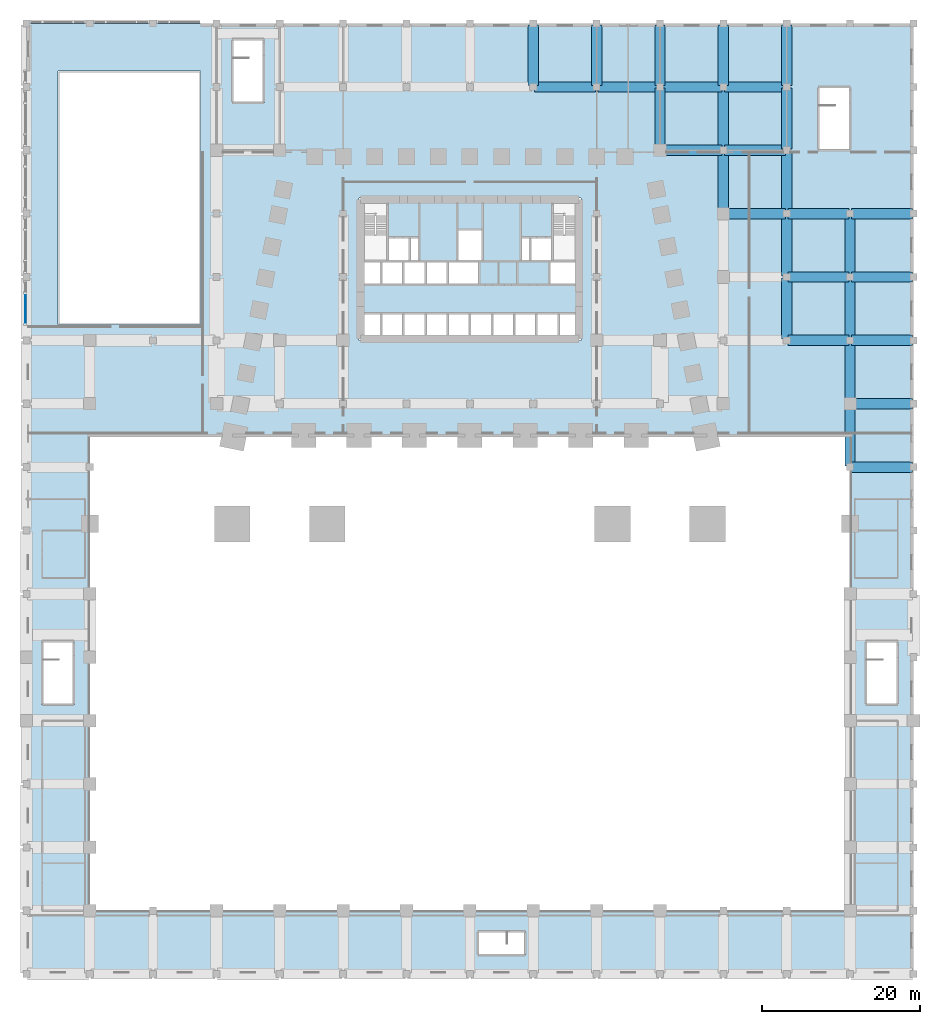
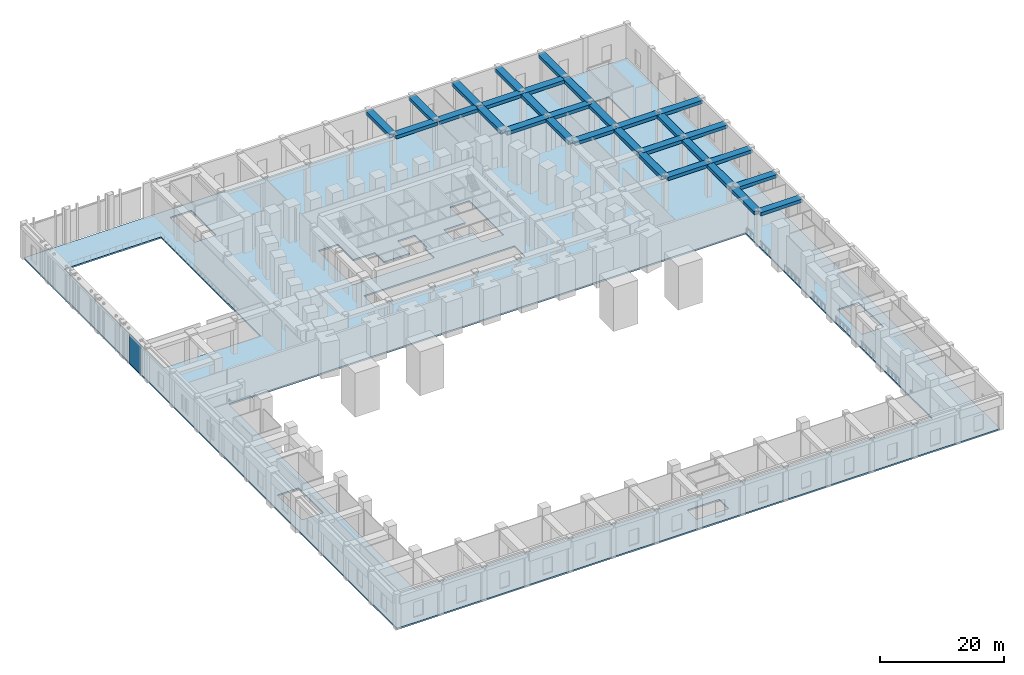
# One storey, part 3 of 18: 31 beams, 1 plate, 1 slab, 1 element without a shape of its own.
"""IFC4 building model written with IfcOpenShell, lengths in metres."""

from ifc_helpers import new_model, si_unit, direction, frame, origin, origin_2d, place, context, subcontext, project, spatial, polyline, rectangle, outline, extrude, material, layer, layer_set, material_profile, profile_set, type_object, element, aggregate, save


model = new_model("IFC4")

# Units and contexts
model_context = context("Model", 3, precision=1e-05, world=origin(), true_north=direction((0.0, 1.0)))
body_context = subcontext(model_context, "Body", "Model", "MODEL_VIEW")
ifc_project = project(units=[si_unit("LENGTHUNIT", "METRE"), si_unit("AREAUNIT", "SQUARE_METRE"), si_unit("VOLUMEUNIT", "CUBIC_METRE"), si_unit("PLANEANGLEUNIT", "RADIAN"), si_unit("MASSUNIT", "GRAM", prefix="KILO")], contexts=[model_context])

# Site, building, storey
site_placement = place(None, origin())
site = spatial("IfcSite", under=ifc_project, at=site_placement, CompositionType="ELEMENT")
building_placement = place(site_placement, origin())
building = spatial("IfcBuilding", under=site, at=building_placement, Name="Isbrekke Arena Tower", CompositionType="ELEMENT")
storey_placement = place(building_placement, frame((0.0, 0.0, 12.0)))
storey = spatial("IfcBuildingStorey", under=building, at=storey_placement, Name="L02", CompositionType="ELEMENT", Elevation=12.0)

# Beams
ifc_material_1 = material(Name="Concrete B45 (C45/55)", Category="concrete")
ifc_material_profile = material_profile(ifc_material_1, rectangle(XDim=1.300048828125, YDim=0.64990234375, at=origin_2d()), Name="RC 1300x650")
ifc_profile_set = profile_set([ifc_material_profile], Name="Concrete B45 (C45/55)")
beam_type = type_object("IfcBeamType", Name="PB1 RC 1300 x 650", PredefinedType="BEAM", material=ifc_profile_set)
for number, where, z_axis, x_axis, name in (
    (1, (48.14990234375, -10.0, 6.375), (1.0, 0.0, 0.0), (0.0, 1.0, 0.0), "PB1 podium beam I14 L03"),
    (2, (48.0, -9.85009765625, 6.375), (0.0, 1.0, 0.0), (-1.0, 0.0, 0.0), "PB1 podium beam I14 L03"),
    (3, (48.14990234375, -2.0, 6.375), (1.0, 0.0, 0.0), (0.0, 1.0, 0.0), "PB1 podium beam J14 L03"),
    (4, (48.0, -1.85009765625, 6.375), (0.0, 1.0, 0.0), (-1.0, 0.0, 0.0), "PB1 podium beam J14 L03"),
    (5, (40.14990234375, 6.0, 6.375), (1.0, 0.0, 0.0), (0.0, 1.0, 0.0), "PB1 podium beam K13 L03"),
    (6, (40.0, 6.14990234375, 6.375), (0.0, 1.0, 0.0), (-1.0, 0.0, 0.0), "PB1 podium beam K13 L03"),
    (7, (48.14990234375, 6.0, 6.375), (1.0, 0.0, 0.0), (0.0, 1.0, 0.0), "PB1 podium beam K14 L03"),
    (8, (48.0, 6.14990234375, 6.375), (0.0, 1.0, 0.0), (-1.0, 0.0, 0.0), "PB1 podium beam K14 L03"),
    (9, (40.14990234375, 14.0, 6.375), (1.0, 0.0, 0.0), (0.0, 1.0, 0.0), "PB1 podium beam L13 L03"),
    (10, (40.0, 14.14990234375, 6.375), (0.0, 1.0, 0.0), (-1.0, 0.0, 0.0), "PB1 podium beam L13 L03"),
    (11, (48.14990234375, 14.0, 6.375), (1.0, 0.0, 0.0), (0.0, 1.0, 0.0), "PB1 podium beam L14 L03"),
    (12, (48.0, 14.14990234375, 6.375), (0.0, 1.0, 0.0), (-1.0, 0.0, 0.0), "PB1 podium beam L14 L03"),
    (13, (32.14990234375, 22.0, 6.375), (1.0, 0.0, 0.0), (0.0, 1.0, 0.0), "PB1 podium beam M12 L03"),
    (14, (32.0, 22.14990234375, 6.375), (0.0, 1.0, 0.0), (-1.0, 0.0, 0.0), "PB1 podium beam M12 L03"),
    (15, (40.14990234375, 22.0, 6.375), (1.0, 0.0, 0.0), (0.0, 1.0, 0.0), "PB1 podium beam M13 L03"),
    (16, (40.0, 22.14990234375, 6.375), (0.0, 1.0, 0.0), (-1.0, 0.0, 0.0), "PB1 podium beam M13 L03"),
    (17, (48.14990234375, 22.0, 6.375), (1.0, 0.0, 0.0), (0.0, 1.0, 0.0), "PB1 podium beam M14 L03"),
    (18, (24.14990234375, 30.0, 6.375), (1.0, 0.0, 0.0), (0.0, 1.0, 0.0), "PB1 podium beam N11 L03"),
    (19, (24.0, 30.14990234375, 6.375), (0.0, 1.0, 0.0), (-1.0, 0.0, 0.0), "PB1 podium beam N11 L03"),
    (20, (32.14990234375, 30.0, 6.375), (1.0, 0.0, 0.0), (0.0, 1.0, 0.0), "PB1 podium beam N12 L03"),
    (21, (32.0, 30.14990234375, 6.375), (0.0, 1.0, 0.0), (-1.0, 0.0, 0.0), "PB1 podium beam N12 L03"),
    (22, (40.0, 30.14990234375, 6.375), (0.0, 1.0, 0.0), (-1.0, 0.0, 0.0), "PB1 podium beam N13 L03"),
    (23, (8.14990234375, 38.0, 6.375), (1.0, 0.0, 0.0), (0.0, 1.0, 0.0), "PB1 podium beam O9 L03"),
    (24, (8.0, 38.14990234375, 6.375), (0.0, 1.0, 0.0), (-1.0, 0.0, 0.0), "PB1 podium beam O9 L03"),
    (25, (16.14990234375, 38.0, 6.375), (1.0, 0.0, 0.0), (0.0, 1.0, 0.0), "PB1 podium beam O10 L03"),
    (26, (16.0, 38.14990234375, 6.375), (0.0, 1.0, 0.0), (-1.0, 0.0, 0.0), "PB1 podium beam O10 L03"),
    (27, (24.14990234375, 38.0, 6.375), (1.0, 0.0, 0.0), (0.0, 1.0, 0.0), "PB1 podium beam O11 L03"),
    (28, (24.0, 38.14990234375, 6.375), (0.0, 1.0, 0.0), (-1.0, 0.0, 0.0), "PB1 podium beam O11 L03"),
    (29, (32.14990234375, 38.0, 6.375), (1.0, 0.0, 0.0), (0.0, 1.0, 0.0), "PB1 podium beam O12 L03"),
    (30, (32.0, 38.14990234375, 6.375), (0.0, 1.0, 0.0), (-1.0, 0.0, 0.0), "PB1 podium beam O12 L03"),
    (31, (40.0, 38.14990234375, 6.375), (0.0, 1.0, 0.0), (-1.0, 0.0, 0.0), "PB1 podium beam O13 L03"),
):
    element("IfcBeam", number, at=place(storey_placement, frame(where, z_axis=z_axis, x_axis=x_axis)), inside=storey, type_object=beam_type, Name=name, PredefinedType="BEAM", context=body_context, shape_type="SweptSolid", body=[
        extrude(rectangle(XDim=1.300048828125, YDim=0.64990234375, at=origin_2d()), origin(), (0.0, 0.0, 1.0), 7.7001953125),
    ])

# Curtain wall, plate
ifc_material_2 = material(Name="Glazed aluminium curtain wall", Category="aluminium")
curtain_wall_type = type_object("IfcCurtainWallType", Name="CWP ATRIUM CURTAIN WALL", PredefinedType="USERDEFINED", material=ifc_material_2)
curtain_wall_placement = place(storey_placement, origin())
curtain_wall = element("IfcCurtainWall", 32, at=curtain_wall_placement, inside=storey, type_object=curtain_wall_type, Name="CWP curtain wall L02-PW5", ObjectType="ATRIUM CURTAIN WALL", PredefinedType="USERDEFINED")
ifc_material_3 = material(Name="Triple-glazed clear glass unit", Category="glass")
ifc_layer_1 = layer(ifc_material_3, 0.031982421875)
ifc_layer_set_1 = layer_set([ifc_layer_1], Name="CWP-P VISION PANEL")
plate_type = type_object("IfcPlateType", Name="CWP-P VISION PANEL", PredefinedType="CURTAIN_PANEL", material=ifc_layer_set_1)
plate_placement = place(storey_placement, frame((-56.10009765625, 10.0, 0.02001953125), z_axis=(0.0, 0.0, 1.0), x_axis=(0.0, -1.0, 0.0)))
plate = element("IfcPlate", 33, at=plate_placement, type_object=plate_type, Name="CWP-P panel 2", PredefinedType="CURTAIN_PANEL", context=body_context, shape_type="SweptSolid", body=[
    extrude(rectangle(XDim=3.699951171875, YDim=0.031982421875, at=origin_2d()), origin(), (0.0, 0.0, 1.0), 5.8798828125),
])
aggregate(curtain_wall, [plate])

# Slab
ifc_material_4 = material(Name="Concrete B45 (C45/55)", Category="concrete")
ifc_layer_2 = layer(ifc_material_4, 0.300048828125)
ifc_layer_set_2 = layer_set([ifc_layer_2], Name="PS1 PODIUM FLOOR 300")
slab_type = type_object("IfcSlabType", Name="PS1 PODIUM FLOOR 300", PredefinedType="FLOOR", material=ifc_layer_set_2)
slab_placement = place(storey_placement, frame((0.0, 0.0, -0.2998046875)))
element("IfcSlab", 34, at=slab_placement, inside=storey, type_object=slab_type, Name="PS1 slab L02 part 1", PredefinedType="FLOOR", context=body_context, shape_type="SweptSolid", body=[
    extrude(outline(polyline([(-56.0, -74.0), (56.0, -74.0), (56.0, 46.0), (-56.0, 46.0), (-56.0, -74.0)]), holes=[polyline([(7.0, -71.60009765625), (1.0, -71.60009765625), (1.0, -68.60009765625), (7.0, -68.60009765625), (7.0, -71.60009765625)]), polyline([(48.0, -66.0), (-48.0, -66.0), (-48.0, -6.0), (48.0, -6.0), (48.0, -66.0)]), polyline([(-50.0, -40.0), (-54.0, -40.0), (-54.0, -32.0), (-50.0, -32.0), (-50.0, -40.0)]), polyline([(50.0, -40.0), (50.0, -32.0), (54.0, -32.0), (54.0, -40.0), (50.0, -40.0)]), polyline([(14.0, 9.39990234375), (14.0, 6.0), (-14.0, 6.0), (-14.0, 9.39990234375), (14.0, 9.39990234375)]), polyline([(-34.0, 8.0), (-52.0, 8.0), (-52.0, 40.0), (-34.0, 40.0), (-34.0, 8.0)]), polyline([(-1.60009765625, 20.0), (1.60009765625, 20.0), (1.60009765625, 16.0), (1.199951171875, 16.0), (1.199951171875, 13.0), (-14.0, 13.0), (-14.0, 24.0), (-10.39990234375, 24.0), (-10.39990234375, 19.0), (-6.39990234375, 19.0), (-6.39990234375, 16.0), (-1.60009765625, 16.0), (-1.60009765625, 20.0)]), polyline([(6.39990234375, 19.0), (10.39990234375, 19.0), (10.39990234375, 24.0), (14.0, 24.0), (14.0, 13.0), (10.0, 13.0), (10.0, 16.0), (6.39990234375, 16.0), (6.39990234375, 19.0)]), polyline([(44.0, 30.0), (44.0, 38.0), (48.0, 38.0), (48.0, 30.0), (44.0, 30.0)]), polyline([(-30.0, 36.0), (-30.0, 44.0), (-26.0, 44.0), (-26.0, 36.0), (-30.0, 36.0)])]), origin(), (0.0, 0.0, 1.0), 0.2998046875),
])

save(model, "model.ifc")
